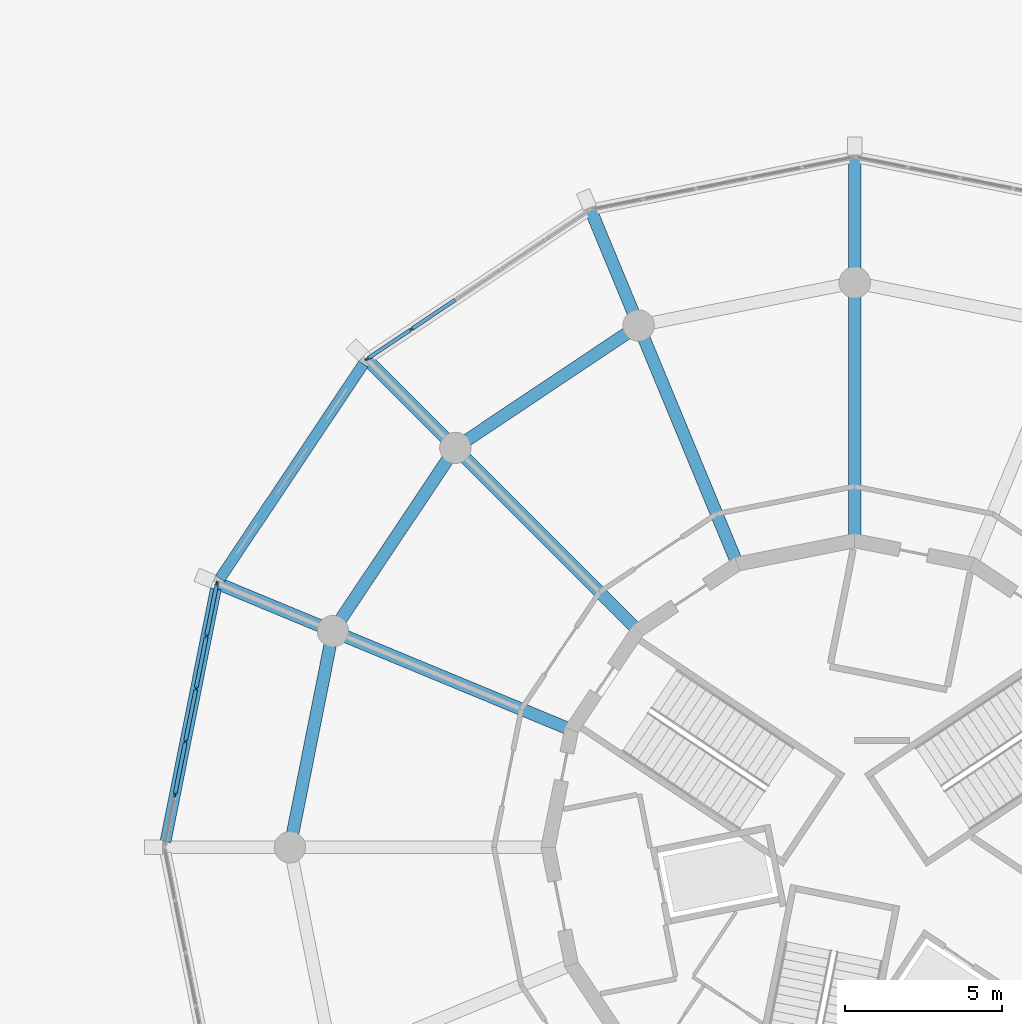
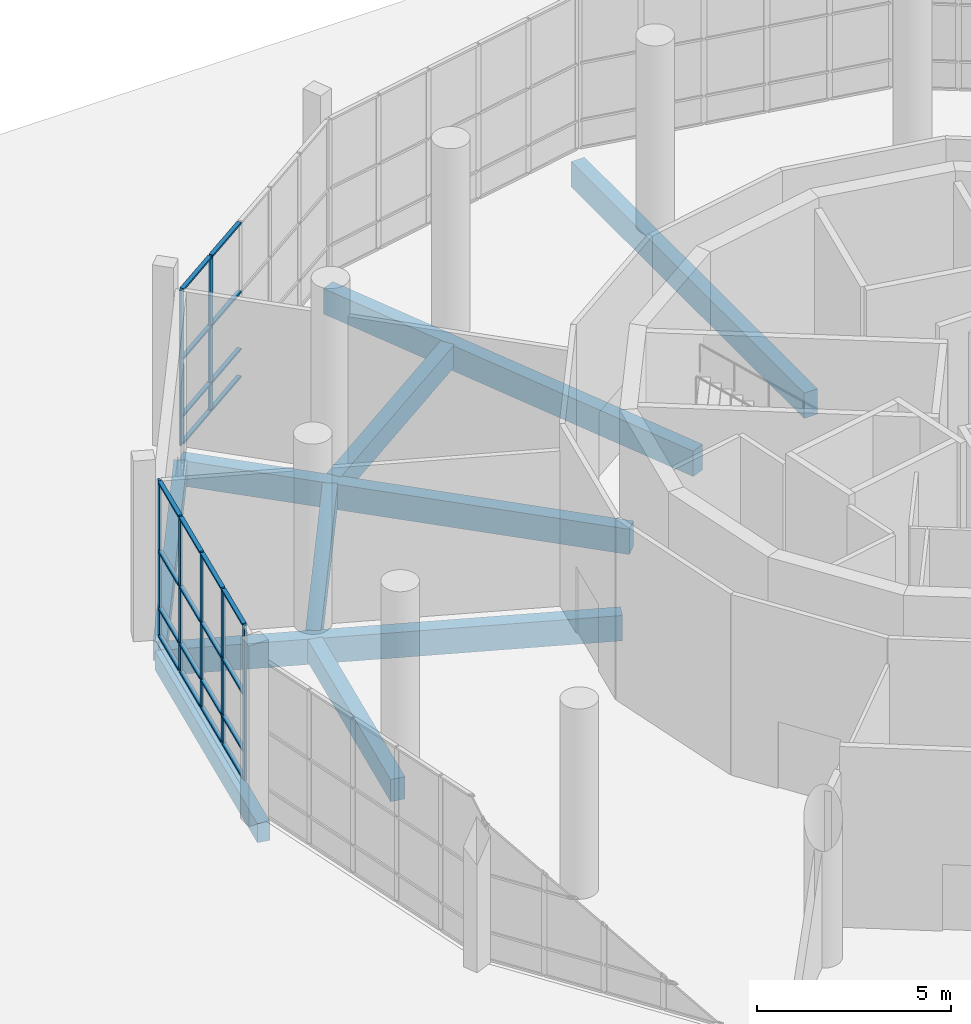
# One storey, part 66 of 226: 31 members, 9 beams, 2 elements without a shape of their own.
"""IFC4 building model written with IfcOpenShell, lengths in metres."""

from ifc_helpers import new_model, si_unit, direction, frame, origin, origin_2d, place, context, subcontext, project, spatial, rectangle, extrude, material, material_profile, profile_set, type_object, element, aggregate, save


model = new_model("IFC4")

# Units and contexts
model_context = context("Model", 3, precision=1e-05, world=origin(), true_north=direction((0.0, 1.0)))
body_context = subcontext(model_context, "Body", "Model", "MODEL_VIEW")
ifc_project = project(units=[si_unit("LENGTHUNIT", "METRE"), si_unit("AREAUNIT", "SQUARE_METRE"), si_unit("VOLUMEUNIT", "CUBIC_METRE"), si_unit("PLANEANGLEUNIT", "RADIAN"), si_unit("MASSUNIT", "GRAM", prefix="KILO")], contexts=[model_context])

# Site, building, storey
site_placement = place(None, origin())
site = spatial("IfcSite", under=ifc_project, at=site_placement, CompositionType="ELEMENT")
building_placement = place(site_placement, origin())
building = spatial("IfcBuilding", under=site, at=building_placement, Name="Ceibo Conservatory and Research Tower", CompositionType="ELEMENT")
storey_placement = place(building_placement, origin())
storey = spatial("IfcBuildingStorey", under=building, at=storey_placement, Name="L00", CompositionType="ELEMENT", Elevation=0.0)

# Curtain wall, members
ifc_material_1 = material(Name="Aluminium and glass", Category="aluminium")
curtain_wall_type = type_object("IfcCurtainWallType", Name="Curtain wall CW1", PredefinedType="NOTDEFINED", material=ifc_material_1)
curtain_wall_1_placement = place(storey_placement, origin())
curtain_wall_1 = element("IfcCurtainWall", 1, at=curtain_wall_1_placement, inside=storey, type_object=curtain_wall_type, Name="CW-00.06", PredefinedType="NOTDEFINED")
ifc_material_2 = material(Name="Aluminium", Category="aluminium")
ifc_material_profile_1 = material_profile(ifc_material_2, rectangle(XDim=0.06005859375, YDim=0.159912109375, at=origin_2d()), Name="Aluminium 60 x 160")
ifc_profile_set_1 = profile_set([ifc_material_profile_1], Name="Aluminium")
member_type_1 = type_object("IfcMemberType", Name="Aluminium mullion 60 x 160", PredefinedType="MULLION", material=ifc_profile_set_1)
member_1_placement = place(storey_placement, frame((33.87109375, 136.51025390625, 0.0), z_axis=(0.0, 0.0, 1.0), x_axis=(0.555570307219, -0.831469562724, 0.0)))
member_1 = element("IfcMember", 2, at=member_1_placement, type_object=member_type_1, Name="CW-00.06 mullion 5", PredefinedType="MULLION", context=body_context, shape_type="SweptSolid", body=[
    extrude(rectangle(XDim=0.06005859375, YDim=0.159912109375, at=origin_2d()), origin(), (0.0, 0.0, 1.0), 4.89990234375),
])
member_2_placement = place(storey_placement, frame((32.468505859375, 135.572998046875, 0.0), z_axis=(0.0, 0.0, 1.0), x_axis=(0.555570307219, -0.831469562724, 0.0)))
member_2 = element("IfcMember", 3, at=member_2_placement, type_object=member_type_1, Name="CW-00.06 mullion 6", PredefinedType="MULLION", context=body_context, shape_type="SweptSolid", body=[
    extrude(rectangle(XDim=0.06005859375, YDim=0.159912109375, at=origin_2d()), origin(), (0.0, 0.0, 1.0), 4.89990234375),
])

curtain_wall_2_placement = place(storey_placement, origin())
curtain_wall_2 = element("IfcCurtainWall", 4, at=curtain_wall_2_placement, inside=storey, type_object=curtain_wall_type, Name="CW-00.08", PredefinedType="NOTDEFINED")
member_3_placement = place(storey_placement, frame((27.668701171875, 128.3896484375, 0.0), z_axis=(0.0, 0.0, 1.0), x_axis=(0.980785288916, -0.195090279221, 0.0)))
member_3 = element("IfcMember", 5, at=member_3_placement, type_object=member_type_1, Name="CW-00.08 mullion 1", PredefinedType="MULLION", context=body_context, shape_type="SweptSolid", body=[
    extrude(rectangle(XDim=0.06005859375, YDim=0.159912109375, at=origin_2d()), origin(), (0.0, 0.0, 1.0), 4.89990234375),
])
member_4_placement = place(storey_placement, frame((27.339599609375, 126.735107421875, 0.0), z_axis=(0.0, 0.0, 1.0), x_axis=(0.980785288916, -0.195090279221, 0.0)))
member_4 = element("IfcMember", 6, at=member_4_placement, type_object=member_type_1, Name="CW-00.08 mullion 2", PredefinedType="MULLION", context=body_context, shape_type="SweptSolid", body=[
    extrude(rectangle(XDim=0.06005859375, YDim=0.159912109375, at=origin_2d()), origin(), (0.0, 0.0, 1.0), 4.89990234375),
])
member_5_placement = place(storey_placement, frame((27.0048828125, 125.051513671875, 0.0), z_axis=(0.0, 0.0, 1.0), x_axis=(0.980785288916, -0.195090279221, 0.0)))
member_5 = element("IfcMember", 7, at=member_5_placement, type_object=member_type_1, Name="CW-00.08 mullion 3", PredefinedType="MULLION", context=body_context, shape_type="SweptSolid", body=[
    extrude(rectangle(XDim=0.06005859375, YDim=0.159912109375, at=origin_2d()), origin(), (0.0, 0.0, 1.0), 4.89990234375),
])
member_6_placement = place(storey_placement, frame((26.669921875, 123.36767578125, 0.0), z_axis=(0.0, 0.0, 1.0), x_axis=(0.980785288916, -0.195090279221, 0.0)))
member_6 = element("IfcMember", 8, at=member_6_placement, type_object=member_type_1, Name="CW-00.08 mullion 4", PredefinedType="MULLION", context=body_context, shape_type="SweptSolid", body=[
    extrude(rectangle(XDim=0.06005859375, YDim=0.159912109375, at=origin_2d()), origin(), (0.0, 0.0, 1.0), 4.89990234375),
])
member_7_placement = place(storey_placement, frame((26.3349609375, 121.683837890625, 0.0), z_axis=(0.0, 0.0, 1.0), x_axis=(0.980785288916, -0.195090279221, 0.0)))
member_7 = element("IfcMember", 9, at=member_7_placement, type_object=member_type_1, Name="CW-00.08 mullion 5", PredefinedType="MULLION", context=body_context, shape_type="SweptSolid", body=[
    extrude(rectangle(XDim=0.06005859375, YDim=0.159912109375, at=origin_2d()), origin(), (0.0, 0.0, 1.0), 4.89990234375),
])

# Member
ifc_material_profile_2 = material_profile(ifc_material_2, rectangle(XDim=0.1201171875, YDim=0.06005859375, at=origin_2d()), Name="Aluminium 60 x 120")
ifc_profile_set_2 = profile_set([ifc_material_profile_2], Name="Aluminium")
member_type_2 = type_object("IfcMemberType", Name="Aluminium transom 60 x 120", PredefinedType="USERDEFINED", material=ifc_profile_set_2)
member_8_placement = place(storey_placement, frame((35.273681640625, 137.447265625, 0.030029296875), z_axis=(-0.831505826173, -0.555516031308, 0.0), x_axis=(0.555516031308, -0.831505826173, 0.0)))
member_8 = element("IfcMember", 10, at=member_8_placement, type_object=member_type_2, Name="CW-00.06 transom 4.1", ObjectType="TRANSOM", PredefinedType="USERDEFINED", context=body_context, shape_type="SweptSolid", body=[
    extrude(rectangle(XDim=0.1201171875, YDim=0.06005859375, at=origin_2d()), origin(), (0.0, 0.0, 1.0), 1.65673828125),
])

member_9_placement = place(storey_placement, frame((35.273681640625, 137.447265625, 0.89990234375), z_axis=(-0.831505826173, -0.555516031308, 0.0), x_axis=(0.555516031308, -0.831505826173, 0.0)))
member_9 = element("IfcMember", 11, at=member_9_placement, type_object=member_type_2, Name="CW-00.06 transom 4.2", ObjectType="TRANSOM", PredefinedType="USERDEFINED", context=body_context, shape_type="SweptSolid", body=[
    extrude(rectangle(XDim=0.1201171875, YDim=0.06005859375, at=origin_2d()), origin(), (0.0, 0.0, 1.0), 1.65673828125),
])

member_10_placement = place(storey_placement, frame((35.273681640625, 137.447265625, 2.699951171875), z_axis=(-0.831505826173, -0.555516031308, 0.0), x_axis=(0.555516031308, -0.831505826173, 0.0)))
member_10 = element("IfcMember", 12, at=member_10_placement, type_object=member_type_2, Name="CW-00.06 transom 4.3", ObjectType="TRANSOM", PredefinedType="USERDEFINED", context=body_context, shape_type="SweptSolid", body=[
    extrude(rectangle(XDim=0.1201171875, YDim=0.06005859375, at=origin_2d()), origin(), (0.0, 0.0, 1.0), 1.65673828125),
])

member_11_placement = place(storey_placement, frame((35.273681640625, 137.447265625, 4.8701171875), z_axis=(-0.831505826173, -0.555516031308, 0.0), x_axis=(0.555516031308, -0.831505826173, 0.0)))
member_11 = element("IfcMember", 13, at=member_11_placement, type_object=member_type_2, Name="CW-00.06 transom 4.4", ObjectType="TRANSOM", PredefinedType="USERDEFINED", context=body_context, shape_type="SweptSolid", body=[
    extrude(rectangle(XDim=0.1201171875, YDim=0.06005859375, at=origin_2d()), origin(), (0.0, 0.0, 1.0), 1.65673828125),
])

member_12_placement = place(storey_placement, frame((33.84619140625, 136.493408203125, 0.030029296875), z_axis=(-0.831449482525, -0.555600358179, 0.0), x_axis=(0.555600358179, -0.831449482525, 0.0)))
member_12 = element("IfcMember", 14, at=member_12_placement, type_object=member_type_2, Name="CW-00.06 transom 5.1", ObjectType="TRANSOM", PredefinedType="USERDEFINED", context=body_context, shape_type="SweptSolid", body=[
    extrude(rectangle(XDim=0.1201171875, YDim=0.06005859375, at=origin_2d()), origin(), (0.0, 0.0, 1.0), 1.626708984375),
])

member_13_placement = place(storey_placement, frame((33.84619140625, 136.493408203125, 0.89990234375), z_axis=(-0.831449482525, -0.555600358179, 0.0), x_axis=(0.555600358179, -0.831449482525, 0.0)))
member_13 = element("IfcMember", 15, at=member_13_placement, type_object=member_type_2, Name="CW-00.06 transom 5.2", ObjectType="TRANSOM", PredefinedType="USERDEFINED", context=body_context, shape_type="SweptSolid", body=[
    extrude(rectangle(XDim=0.1201171875, YDim=0.06005859375, at=origin_2d()), origin(), (0.0, 0.0, 1.0), 1.626708984375),
])

member_14_placement = place(storey_placement, frame((33.84619140625, 136.493408203125, 2.699951171875), z_axis=(-0.831449482525, -0.555600358179, 0.0), x_axis=(0.555600358179, -0.831449482525, 0.0)))
member_14 = element("IfcMember", 16, at=member_14_placement, type_object=member_type_2, Name="CW-00.06 transom 5.3", ObjectType="TRANSOM", PredefinedType="USERDEFINED", context=body_context, shape_type="SweptSolid", body=[
    extrude(rectangle(XDim=0.1201171875, YDim=0.06005859375, at=origin_2d()), origin(), (0.0, 0.0, 1.0), 1.626708984375),
])

member_15_placement = place(storey_placement, frame((33.84619140625, 136.493408203125, 4.8701171875), z_axis=(-0.831449482525, -0.555600358179, 0.0), x_axis=(0.555600358179, -0.831449482525, 0.0)))
member_15 = element("IfcMember", 17, at=member_15_placement, type_object=member_type_2, Name="CW-00.06 transom 5.4", ObjectType="TRANSOM", PredefinedType="USERDEFINED", context=body_context, shape_type="SweptSolid", body=[
    extrude(rectangle(XDim=0.1201171875, YDim=0.06005859375, at=origin_2d()), origin(), (0.0, 0.0, 1.0), 1.626708984375),
])

aggregate(curtain_wall_1, [member_1, member_2, member_8, member_9, member_10, member_11, member_12, member_13, member_14, member_15])

member_16_placement = place(storey_placement, frame((27.662841796875, 128.360107421875, 0.030029296875), z_axis=(-0.195105867559, -0.980782188074, 0.0), x_axis=(0.980782188074, -0.195105867559, 0.0)))
member_16 = element("IfcMember", 18, at=member_16_placement, type_object=member_type_2, Name="CW-00.08 transom 1.1", ObjectType="TRANSOM", PredefinedType="USERDEFINED", context=body_context, shape_type="SweptSolid", body=[
    extrude(rectangle(XDim=0.1201171875, YDim=0.06005859375, at=origin_2d()), origin(), (0.0, 0.0, 1.0), 1.626708984375),
])

member_17_placement = place(storey_placement, frame((27.662841796875, 128.360107421875, 0.89990234375), z_axis=(-0.195105867559, -0.980782188074, 0.0), x_axis=(0.980782188074, -0.195105867559, 0.0)))
member_17 = element("IfcMember", 19, at=member_17_placement, type_object=member_type_2, Name="CW-00.08 transom 1.2", ObjectType="TRANSOM", PredefinedType="USERDEFINED", context=body_context, shape_type="SweptSolid", body=[
    extrude(rectangle(XDim=0.1201171875, YDim=0.06005859375, at=origin_2d()), origin(), (0.0, 0.0, 1.0), 1.626708984375),
])

member_18_placement = place(storey_placement, frame((27.662841796875, 128.360107421875, 2.699951171875), z_axis=(-0.195105867559, -0.980782188074, 0.0), x_axis=(0.980782188074, -0.195105867559, 0.0)))
member_18 = element("IfcMember", 20, at=member_18_placement, type_object=member_type_2, Name="CW-00.08 transom 1.3", ObjectType="TRANSOM", PredefinedType="USERDEFINED", context=body_context, shape_type="SweptSolid", body=[
    extrude(rectangle(XDim=0.1201171875, YDim=0.06005859375, at=origin_2d()), origin(), (0.0, 0.0, 1.0), 1.626708984375),
])

member_19_placement = place(storey_placement, frame((27.662841796875, 128.360107421875, 4.8701171875), z_axis=(-0.195105867559, -0.980782188074, 0.0), x_axis=(0.980782188074, -0.195105867559, 0.0)))
member_19 = element("IfcMember", 21, at=member_19_placement, type_object=member_type_2, Name="CW-00.08 transom 1.4", ObjectType="TRANSOM", PredefinedType="USERDEFINED", context=body_context, shape_type="SweptSolid", body=[
    extrude(rectangle(XDim=0.1201171875, YDim=0.06005859375, at=origin_2d()), origin(), (0.0, 0.0, 1.0), 1.626708984375),
])

member_20_placement = place(storey_placement, frame((27.333984375, 126.705810546875, 0.030029296875), z_axis=(-0.195095890146, -0.980784172817, 0.0), x_axis=(0.980784172817, -0.195095890146, 0.0)))
member_20 = element("IfcMember", 22, at=member_20_placement, type_object=member_type_2, Name="CW-00.08 transom 2.1", ObjectType="TRANSOM", PredefinedType="USERDEFINED", context=body_context, shape_type="SweptSolid", body=[
    extrude(rectangle(XDim=0.1201171875, YDim=0.06005859375, at=origin_2d()), origin(), (0.0, 0.0, 1.0), 1.65673828125),
])

member_21_placement = place(storey_placement, frame((27.333984375, 126.705810546875, 0.89990234375), z_axis=(-0.195095890146, -0.980784172817, 0.0), x_axis=(0.980784172817, -0.195095890146, 0.0)))
member_21 = element("IfcMember", 23, at=member_21_placement, type_object=member_type_2, Name="CW-00.08 transom 2.2", ObjectType="TRANSOM", PredefinedType="USERDEFINED", context=body_context, shape_type="SweptSolid", body=[
    extrude(rectangle(XDim=0.1201171875, YDim=0.06005859375, at=origin_2d()), origin(), (0.0, 0.0, 1.0), 1.65673828125),
])

member_22_placement = place(storey_placement, frame((27.333984375, 126.705810546875, 2.699951171875), z_axis=(-0.195095890146, -0.980784172817, 0.0), x_axis=(0.980784172817, -0.195095890146, 0.0)))
member_22 = element("IfcMember", 24, at=member_22_placement, type_object=member_type_2, Name="CW-00.08 transom 2.3", ObjectType="TRANSOM", PredefinedType="USERDEFINED", context=body_context, shape_type="SweptSolid", body=[
    extrude(rectangle(XDim=0.1201171875, YDim=0.06005859375, at=origin_2d()), origin(), (0.0, 0.0, 1.0), 1.65673828125),
])

member_23_placement = place(storey_placement, frame((27.333984375, 126.705810546875, 4.8701171875), z_axis=(-0.195095890146, -0.980784172817, 0.0), x_axis=(0.980784172817, -0.195095890146, 0.0)))
member_23 = element("IfcMember", 25, at=member_23_placement, type_object=member_type_2, Name="CW-00.08 transom 2.4", ObjectType="TRANSOM", PredefinedType="USERDEFINED", context=body_context, shape_type="SweptSolid", body=[
    extrude(rectangle(XDim=0.1201171875, YDim=0.06005859375, at=origin_2d()), origin(), (0.0, 0.0, 1.0), 1.65673828125),
])

member_24_placement = place(storey_placement, frame((26.9990234375, 125.02197265625, 0.030029296875), z_axis=(-0.195095890146, -0.980784172817, 0.0), x_axis=(0.980784172817, -0.195095890146, 0.0)))
member_24 = element("IfcMember", 26, at=member_24_placement, type_object=member_type_2, Name="CW-00.08 transom 3.1", ObjectType="TRANSOM", PredefinedType="USERDEFINED", context=body_context, shape_type="SweptSolid", body=[
    extrude(rectangle(XDim=0.1201171875, YDim=0.06005859375, at=origin_2d()), origin(), (0.0, 0.0, 1.0), 1.65673828125),
])

member_25_placement = place(storey_placement, frame((26.9990234375, 125.02197265625, 0.89990234375), z_axis=(-0.195095890146, -0.980784172817, 0.0), x_axis=(0.980784172817, -0.195095890146, 0.0)))
member_25 = element("IfcMember", 27, at=member_25_placement, type_object=member_type_2, Name="CW-00.08 transom 3.2", ObjectType="TRANSOM", PredefinedType="USERDEFINED", context=body_context, shape_type="SweptSolid", body=[
    extrude(rectangle(XDim=0.1201171875, YDim=0.06005859375, at=origin_2d()), origin(), (0.0, 0.0, 1.0), 1.65673828125),
])

member_26_placement = place(storey_placement, frame((26.9990234375, 125.02197265625, 2.699951171875), z_axis=(-0.195095890146, -0.980784172817, 0.0), x_axis=(0.980784172817, -0.195095890146, 0.0)))
member_26 = element("IfcMember", 28, at=member_26_placement, type_object=member_type_2, Name="CW-00.08 transom 3.3", ObjectType="TRANSOM", PredefinedType="USERDEFINED", context=body_context, shape_type="SweptSolid", body=[
    extrude(rectangle(XDim=0.1201171875, YDim=0.06005859375, at=origin_2d()), origin(), (0.0, 0.0, 1.0), 1.65673828125),
])

member_27_placement = place(storey_placement, frame((26.9990234375, 125.02197265625, 4.8701171875), z_axis=(-0.195095890146, -0.980784172817, 0.0), x_axis=(0.980784172817, -0.195095890146, 0.0)))
member_27 = element("IfcMember", 29, at=member_27_placement, type_object=member_type_2, Name="CW-00.08 transom 3.4", ObjectType="TRANSOM", PredefinedType="USERDEFINED", context=body_context, shape_type="SweptSolid", body=[
    extrude(rectangle(XDim=0.1201171875, YDim=0.06005859375, at=origin_2d()), origin(), (0.0, 0.0, 1.0), 1.65673828125),
])

member_28_placement = place(storey_placement, frame((26.6640625, 123.338134765625, 0.030029296875), z_axis=(-0.195095890146, -0.980784172817, 0.0), x_axis=(0.980784172817, -0.195095890146, 0.0)))
member_28 = element("IfcMember", 30, at=member_28_placement, type_object=member_type_2, Name="CW-00.08 transom 4.1", ObjectType="TRANSOM", PredefinedType="USERDEFINED", context=body_context, shape_type="SweptSolid", body=[
    extrude(rectangle(XDim=0.1201171875, YDim=0.06005859375, at=origin_2d()), origin(), (0.0, 0.0, 1.0), 1.65673828125),
])

member_29_placement = place(storey_placement, frame((26.6640625, 123.338134765625, 0.89990234375), z_axis=(-0.195095890146, -0.980784172817, 0.0), x_axis=(0.980784172817, -0.195095890146, 0.0)))
member_29 = element("IfcMember", 31, at=member_29_placement, type_object=member_type_2, Name="CW-00.08 transom 4.2", ObjectType="TRANSOM", PredefinedType="USERDEFINED", context=body_context, shape_type="SweptSolid", body=[
    extrude(rectangle(XDim=0.1201171875, YDim=0.06005859375, at=origin_2d()), origin(), (0.0, 0.0, 1.0), 1.65673828125),
])

member_30_placement = place(storey_placement, frame((26.6640625, 123.338134765625, 2.699951171875), z_axis=(-0.195095890146, -0.980784172817, 0.0), x_axis=(0.980784172817, -0.195095890146, 0.0)))
member_30 = element("IfcMember", 32, at=member_30_placement, type_object=member_type_2, Name="CW-00.08 transom 4.3", ObjectType="TRANSOM", PredefinedType="USERDEFINED", context=body_context, shape_type="SweptSolid", body=[
    extrude(rectangle(XDim=0.1201171875, YDim=0.06005859375, at=origin_2d()), origin(), (0.0, 0.0, 1.0), 1.65673828125),
])

member_31_placement = place(storey_placement, frame((26.6640625, 123.338134765625, 4.8701171875), z_axis=(-0.195095890146, -0.980784172817, 0.0), x_axis=(0.980784172817, -0.195095890146, 0.0)))
member_31 = element("IfcMember", 33, at=member_31_placement, type_object=member_type_2, Name="CW-00.08 transom 4.4", ObjectType="TRANSOM", PredefinedType="USERDEFINED", context=body_context, shape_type="SweptSolid", body=[
    extrude(rectangle(XDim=0.1201171875, YDim=0.06005859375, at=origin_2d()), origin(), (0.0, 0.0, 1.0), 1.65673828125),
])

aggregate(curtain_wall_2, [member_3, member_4, member_5, member_6, member_7, member_16, member_17, member_18, member_19, member_20, member_21, member_22, member_23, member_24, member_25, member_26, member_27, member_28, member_29, member_30, member_31])

# Beams
ifc_material_3 = material(Name="Concrete C35/45", Category="concrete")
ifc_material_profile_3 = material_profile(ifc_material_3, rectangle(XDim=0.35009765625, YDim=0.60009765625, at=origin_2d()), Name="RC 350x600")
ifc_profile_set_3 = profile_set([ifc_material_profile_3], Name="Concrete C35/45")
beam_type_1 = type_object("IfcBeamType", Name="RC beam 350x600 C35", PredefinedType="BEAM", material=ifc_profile_set_3)
beam_1_placement = place(storey_placement, frame((32.341552734375, 135.4033203125, -0.64990234375), z_axis=(-0.555584480406, -0.831460092327, 0.0), x_axis=(0.831460092327, -0.555584480406, 0.0)))
element("IfcBeam", 34, at=beam_1_placement, inside=storey, type_object=beam_type_1, Name="Edge beam 07 L00", PredefinedType="BEAM", context=body_context, shape_type="SweptSolid", body=[
    extrude(rectangle(XDim=0.35009765625, YDim=0.60009765625, at=origin_2d()), origin(), (0.0, 0.0, 1.0), 8.216064453125),
])
beam_2_placement = place(storey_placement, frame((27.638671875, 128.23876953125, -0.64990234375), z_axis=(-0.195076015612, -0.980788126016, 0.0), x_axis=(0.980788126016, -0.195076015612, 0.0)))
element("IfcBeam", 35, at=beam_2_placement, inside=storey, type_object=beam_type_1, Name="Edge beam 08 L00", PredefinedType="BEAM", context=body_context, shape_type="SweptSolid", body=[
    extrude(rectangle(XDim=0.35009765625, YDim=0.60009765625, at=origin_2d()), origin(), (0.0, 0.0, 1.0), 8.21630859375),
])
ifc_material_profile_4 = material_profile(ifc_material_3, rectangle(XDim=0.39990234375, YDim=0.699951171875, at=origin_2d()), Name="RC 400x700")
ifc_profile_set_4 = profile_set([ifc_material_profile_4], Name="Concrete C35/45")
beam_type_2 = type_object("IfcBeamType", Name="RC beam 400x700 C35", PredefinedType="BEAM", material=ifc_profile_set_4)
for number, where, z_axis, x_axis, name in (
    (36, (40.958740234375, 136.527587890625, -0.699951171875), (-0.83146854485, -0.555571830572, 0.0), (0.555571830572, -0.83146854485, 0.0), "Ring beam 06 L00"),
    (37, (35.169921875, 132.574951171875, -0.699951171875), (-0.555571830572, -0.83146854485, 0.0), (0.83146854485, -0.555571830572, 0.0), "Ring beam 07 L00"),
):
    element("IfcBeam", number, at=place(storey_placement, frame(where, z_axis=z_axis, x_axis=x_axis)), inside=storey, type_object=beam_type_2, Name=name, PredefinedType="BEAM", context=body_context, shape_type="SweptSolid", body=[
        extrude(rectangle(XDim=0.39990234375, YDim=0.699951171875, at=origin_2d()), origin(), (0.0, 0.0, 1.0), 6.6552734375),
    ])
beam_3_placement = place(storey_placement, frame((31.334228515625, 126.7080078125, -0.699951171875), z_axis=(-0.19507903146, -0.980787526167, 0.0), x_axis=(0.980787526167, -0.19507903146, 0.0)))
element("IfcBeam", 38, at=beam_3_placement, inside=storey, type_object=beam_type_2, Name="Ring beam 08 L00", PredefinedType="BEAM", context=body_context, shape_type="SweptSolid", body=[
    extrude(rectangle(XDim=0.39990234375, YDim=0.699951171875, at=origin_2d()), origin(), (0.0, 0.0, 1.0), 6.655517578125),
])
ifc_material_profile_5 = material_profile(ifc_material_3, rectangle(XDim=0.39990234375, YDim=0.800048828125, at=origin_2d()), Name="RC 400x800")
ifc_profile_set_5 = profile_set([ifc_material_profile_5], Name="Concrete C35/45")
beam_type_3 = type_object("IfcBeamType", Name="RC beam 400x800 C35", PredefinedType="BEAM", material=ifc_profile_set_5)
for number, where, z_axis, x_axis, name in (
    (39, (48.0, 129.949951171875, -0.75), (0.0, 1.0, 0.0), (-1.0, 0.0, 0.0), "Radial beam R5 L00"),
    (40, (44.1923828125, 129.192626953125, -0.75), (-0.382696089639, 0.923874289595, 0.0), (-0.923874289595, -0.382696089639, 0.0), "Radial beam R6 L00"),
):
    element("IfcBeam", number, at=place(storey_placement, frame(where, z_axis=z_axis, x_axis=x_axis)), inside=storey, type_object=beam_type_3, Name=name, PredefinedType="BEAM", context=body_context, shape_type="SweptSolid", body=[
        extrude(rectangle(XDim=0.39990234375, YDim=0.800048828125, at=origin_2d()), origin(), (0.0, 0.0, 1.0), 12.045166015625),
    ])
beam_4_placement = place(storey_placement, frame((40.96435546875, 127.03564453125, -0.75), z_axis=(-0.707106781187, 0.707106781187, 0.0), x_axis=(-0.707106781187, -0.707106781187, 0.0)))
element("IfcBeam", 41, at=beam_4_placement, inside=storey, type_object=beam_type_3, Name="Radial beam R7 L00", PredefinedType="BEAM", context=body_context, shape_type="SweptSolid", body=[
    extrude(rectangle(XDim=0.39990234375, YDim=0.800048828125, at=origin_2d()), origin(), (0.0, 0.0, 1.0), 12.044921875),
])
beam_5_placement = place(storey_placement, frame((38.807373046875, 123.8076171875, -0.75), z_axis=(-0.923874289595, 0.382696089639, 0.0), x_axis=(-0.382696089639, -0.923874289595, 0.0)))
element("IfcBeam", 42, at=beam_5_placement, inside=storey, type_object=beam_type_3, Name="Radial beam R8 L00", PredefinedType="BEAM", context=body_context, shape_type="SweptSolid", body=[
    extrude(rectangle(XDim=0.39990234375, YDim=0.800048828125, at=origin_2d()), origin(), (0.0, 0.0, 1.0), 12.045166015625),
])

save(model, "model.ifc")
